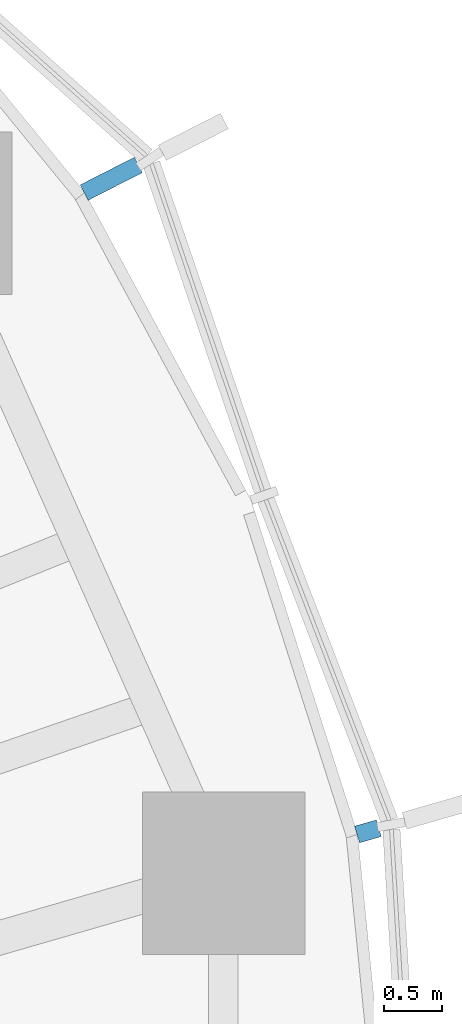
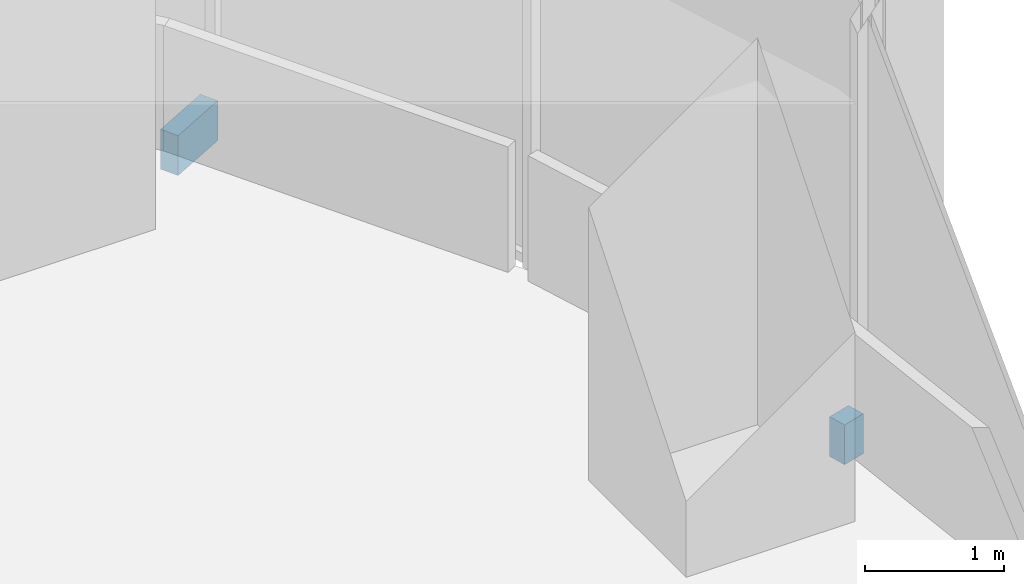
# One storey, part 16 of 18: 2 discrete accessories.
"""IFC4 building model written with IfcOpenShell, lengths in metres."""

import ifcopenshell
import ifcopenshell.guid

model = None  # the IFC model being written
_history = None  # IfcOwnerHistory: only IFC2X3 demands one
_inside = {}  # id of a spatial element -> (the spatial element, [elements in it])
_under = {}  # id of a project, library or spatial element -> (it, [spatial elements below it])
_declared = {}  # id of a project -> (the project, [libraries it declares])
_typed = {}  # id of a type object -> (the type object, [elements of that type])
_made_of = {}  # id of a material, layer set ... -> (it, [elements and type objects made of it])


def new_model(schema):
    """Start an empty IFC model of exactly this schema.

    Asked for "IFC4X3", IfcOpenShell would pick the latest addendum, in which some entities
    have other attributes; the version numbers below select the first issue.
    IFC2X3 requires an IfcOwnerHistory on every rooted entity: one is made here for all.
    """
    global model, _history
    if schema == "IFC4X3":
        model = ifcopenshell.file(schema_version=(4, 3, 0, 0))
    else:
        model = ifcopenshell.file(schema=schema)
    _inside.clear()
    _under.clear()
    _declared.clear()
    _typed.clear()
    _made_of.clear()
    _history = None
    if model.schema == "IFC2X3":
        org = make("IfcOrganization", Name="unknown")
        user = make(
            "IfcPersonAndOrganization",
            ThePerson=make("IfcPerson", FamilyName="unknown"),
            TheOrganization=org,
        )
        app = make(
            "IfcApplication",
            ApplicationDeveloper=org,
            Version="unknown",
            ApplicationFullName="unknown",
            ApplicationIdentifier="unknown",
        )
        _history = make(
            "IfcOwnerHistory",
            OwningUser=user,
            OwningApplication=app,
            ChangeAction="ADDED",
            CreationDate=0,
        )
    return model


def make(cls, **values):
    """One entity of the class cls with the attributes given. An attribute that is None is left unset."""
    return model.create_entity(
        cls, **{name: value for name, value in values.items() if value is not None}
    )


def rooted(cls, **values):
    """An entity with a GlobalId (a new one), such as an element, a storey or a relation."""
    return make(cls, GlobalId=ifcopenshell.guid.new(), OwnerHistory=_history, **values)


def si_unit(unit_type, name, prefix=None):
    """IfcSIUnit, for example si_unit("LENGTHUNIT", "METRE", prefix="MILLI")."""
    return make("IfcSIUnit", UnitType=unit_type, Prefix=prefix, Name=name)


def assignment(units):
    """IfcUnitAssignment: the units of a project."""
    return None if units is None else make("IfcUnitAssignment", Units=units)


def point(xyz):
    """IfcCartesianPoint."""
    return None if xyz is None else make("IfcCartesianPoint", Coordinates=xyz)


def direction(xyz):
    """IfcDirection."""
    return None if xyz is None else make("IfcDirection", DirectionRatios=xyz)


def frame(location, z_axis=None, x_axis=None):
    """IfcAxis2Placement3D, a coordinate frame: its origin and axes. An axis left out is left unset."""
    return make(
        "IfcAxis2Placement3D",
        Location=point(location),
        Axis=direction(z_axis),
        RefDirection=direction(x_axis),
    )


def frame_2d(location, x_axis=None):
    """IfcAxis2Placement2D, a coordinate frame in the plane: its origin and x axis."""
    return make(
        "IfcAxis2Placement2D", Location=point(location), RefDirection=direction(x_axis)
    )


def origin():
    """The frame at (0, 0, 0) with its axes left unset."""
    return frame((0.0, 0.0, 0.0))


def origin_2d():
    """The frame at (0, 0) in the plane with its x axis left unset."""
    return frame_2d((0.0, 0.0))


def place(relative_to, where):
    """IfcLocalPlacement: puts the frame where relative to a parent placement (None: the world)."""
    return make(
        "IfcLocalPlacement", PlacementRelTo=relative_to, RelativePlacement=where
    )


def context(
    kind, dimensions, precision=None, world=None, true_north=None, identifier=None
):
    """IfcGeometricRepresentationContext, for example the 3D "Model" context."""
    return make(
        "IfcGeometricRepresentationContext",
        ContextIdentifier=identifier,
        ContextType=kind,
        CoordinateSpaceDimension=dimensions,
        Precision=precision,
        WorldCoordinateSystem=world,
        TrueNorth=true_north,
    )


def subcontext(parent, identifier, kind, view, scale=None):
    """IfcGeometricRepresentationSubContext, for example "Body" below "Model"."""
    return make(
        "IfcGeometricRepresentationSubContext",
        ContextIdentifier=identifier,
        ContextType=kind,
        ParentContext=parent,
        TargetScale=scale,
        TargetView=view,
    )


def project(units=None, contexts=None):
    """IfcProject with its units and contexts."""
    return rooted(
        "IfcProject",
        Name="project",
        RepresentationContexts=contexts,
        UnitsInContext=assignment(units),
    )


def spatial(cls, under=None, at=None, **own):
    """A site, building, storey or space (cls), placed at a placement, below another one or the project."""
    s = rooted(cls, ObjectPlacement=at, **own)
    if under is not None:
        _under.setdefault(under.id(), (under, []))[1].append(s)
    return s


def profile(cls, at=None, kind="AREA", **sizes):
    """A parametric profile (cls). Its sizes go by their IFC names, for example OverallWidth=200.0."""
    return make(cls, ProfileType=kind, Position=at, **sizes)


def rectangle(**sizes):
    """IfcRectangleProfileDef."""
    return profile("IfcRectangleProfileDef", **sizes)


def extrude(swept, where, along, depth):
    """IfcExtrudedAreaSolid: the profile swept, set in the frame where, extruded along a direction by depth."""
    return make(
        "IfcExtrudedAreaSolid",
        SweptArea=swept,
        Position=where,
        ExtrudedDirection=direction(along),
        Depth=depth,
    )


def shape(context_of_items, identifier, shape_type, items):
    """IfcShapeRepresentation: the items that make up one representation, for example the "Body"."""
    return make(
        "IfcShapeRepresentation",
        ContextOfItems=context_of_items,
        RepresentationIdentifier=identifier,
        RepresentationType=shape_type,
        Items=items,
    )


def material(Name=None, Category=None):
    """IfcMaterial."""
    return make("IfcMaterial", Name=Name, Category=Category)


def made_of(thing, what):
    """Note that an element or type object is made of a material, layer set ...; save() writes the relation."""
    if what is not None:
        _made_of.setdefault(what.id(), (what, []))[1].append(thing)
    return thing


def type_object(cls, material=None, **own):
    """A type object (cls), such as IfcWallType, which elements share."""
    return made_of(rooted(cls, **own), material)


def element(
    cls,
    number,
    at=None,
    inside=None,
    cuts=None,
    type_object=None,
    material=None,
    context=None,
    identifier="Body",
    shape_type=None,
    held_by="IfcProductDefinitionShape",
    body=None,
    shapes=None,
    **own,
):
    """One element of the class cls, such as IfcWall. Its Tag is "e" and its number.

    at: its placement. inside: the storey or other place that contains it. cuts: it is an
    opening in that element (IfcRelVoidsElement). A single representation is given by context,
    identifier, shape_type and body (its items); several are given by shapes. held_by: the class
    of the entity that holds the representations. save() writes the other relations.
    """
    e = rooted(cls, Tag="e%d" % number, ObjectPlacement=at, **own)
    if body is not None:
        shapes = [shape(context, identifier, shape_type, body)]
    if shapes is not None:
        e.Representation = make(held_by, Representations=shapes)
    if inside is not None:
        _inside.setdefault(inside.id(), (inside, []))[1].append(e)
    if cuts is not None:
        rooted(
            "IfcRelVoidsElement", RelatingBuildingElement=cuts, RelatedOpeningElement=e
        )
    if type_object is not None:
        _typed.setdefault(type_object.id(), (type_object, []))[1].append(e)
    return made_of(e, material)


def aggregate(whole, parts):
    """IfcRelAggregates: a whole, such as a stair, and the parts it consists of."""
    return rooted("IfcRelAggregates", RelatingObject=whole, RelatedObjects=parts)


def save(model, path):
    """Write the relations noted so far, then the file.

    IfcRelAggregates (storeys below a building ...), IfcRelContainedInSpatialStructure (elements
    in a storey), IfcRelDefinesByType, IfcRelAssociatesMaterial and IfcRelDeclares: one each for
    every whole, place, type object, material and project.
    """
    for whole, parts in _under.values():
        aggregate(whole, parts)
    for where, things in _inside.values():
        rooted(
            "IfcRelContainedInSpatialStructure",
            RelatedElements=things,
            RelatingStructure=where,
        )
    for kind, things in _typed.values():
        rooted("IfcRelDefinesByType", RelatedObjects=things, RelatingType=kind)
    for what, things in _made_of.values():
        rooted("IfcRelAssociatesMaterial", RelatedObjects=things, RelatingMaterial=what)
    for by, libraries in _declared.values():
        rooted("IfcRelDeclares", RelatingContext=by, RelatedDefinitions=libraries)
    model.write(path)


model = new_model("IFC4")

# Units and contexts
model_context = context("Model", 3, precision=1e-05, world=origin(), true_north=direction((0.0, 1.0)))
body_context = subcontext(model_context, "Body", "Model", "MODEL_VIEW")
ifc_project = project(units=[si_unit("LENGTHUNIT", "METRE"), si_unit("AREAUNIT", "SQUARE_METRE"), si_unit("VOLUMEUNIT", "CUBIC_METRE"), si_unit("PLANEANGLEUNIT", "RADIAN"), si_unit("MASSUNIT", "GRAM", prefix="KILO")], contexts=[model_context])

# Site, building, storey
site_placement = place(None, origin())
site = spatial("IfcSite", under=ifc_project, at=site_placement, CompositionType="ELEMENT")
building_placement = place(site_placement, origin())
building = spatial("IfcBuilding", under=site, at=building_placement, Name="Ghaith Harvest Tower", CompositionType="ELEMENT")
storey_placement = place(building_placement, frame((0.0, 0.0, 163.800048828125)))
storey = spatial("IfcBuildingStorey", under=building, at=storey_placement, Name="L35", CompositionType="ELEMENT", Elevation=163.800048828125)

# Discrete accessories
ifc_material_1 = material(Name="Stainless steel grade 1.4401", Category="steel")
discrete_accessory_type_1 = type_object("IfcDiscreteAccessoryType", Name="CURTAIN WALL BRACKET 195", PredefinedType="BRACKET", material=ifc_material_1)
discrete_accessory_1_placement = place(storey_placement, frame((30.528076171875, 8.8232421875, -0.25), z_axis=(0.0, 0.0, 1.0), x_axis=(0.960680349985, 0.277656739792, 0.0)))
element("IfcDiscreteAccessory", 1, at=discrete_accessory_1_placement, inside=storey, type_object=discrete_accessory_type_1, Name="CW-L bracket 1 bay 02 L35", PredefinedType="BRACKET", context=body_context, shape_type="SweptSolid", body=[
    extrude(rectangle(XDim=0.195068359375, YDim=0.14990234375, at=origin_2d()), origin(), (0.0, 0.0, 1.0), 0.35009765625),
])
ifc_material_2 = material(Name="Stainless steel grade 1.4401", Category="steel")
discrete_accessory_type_2 = type_object("IfcDiscreteAccessoryType", Name="CURTAIN WALL BRACKET 525", PredefinedType="BRACKET", material=ifc_material_2)
discrete_accessory_2_placement = place(storey_placement, frame((28.318115234375, 14.442626953125, -0.25), z_axis=(0.0, 0.0, 1.0), x_axis=(0.890830752257, 0.454335306611, 0.0)))
element("IfcDiscreteAccessory", 2, at=discrete_accessory_2_placement, inside=storey, type_object=discrete_accessory_type_2, Name="CW-L bracket 3 bay 02 L35", PredefinedType="BRACKET", context=body_context, shape_type="SweptSolid", body=[
    extrude(rectangle(XDim=0.52490234375, YDim=0.14990234375, at=origin_2d()), origin(), (0.0, 0.0, 1.0), 0.35009765625),
])

save(model, "model.ifc")
